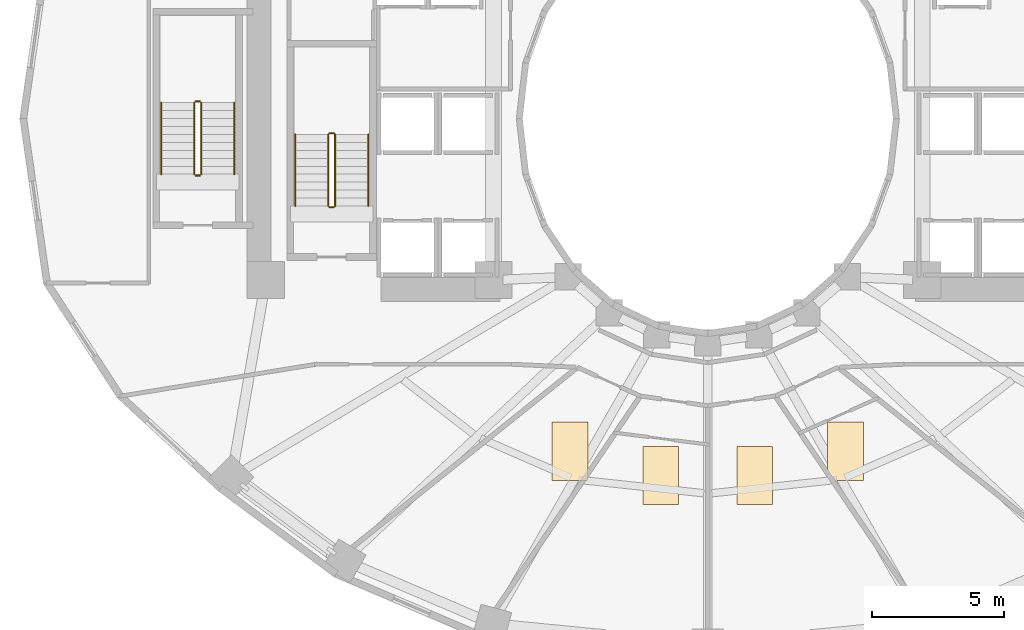
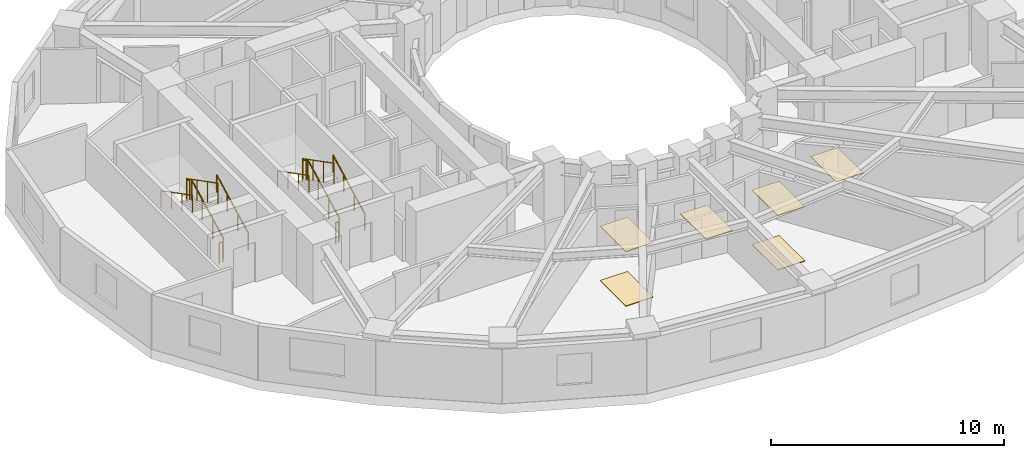
# One storey, part 8 of 9: 12 railings, 6 coverings.
"""IFC4 building model written with IfcOpenShell, lengths in metres."""

from ifc_helpers import new_model, si_unit, direction, frame, origin, origin_2d, place, context, subcontext, project, spatial, polyline, circle, outline, extrude, material, layer, layer_set, type_object, element, save


model = new_model("IFC4")

# Units and contexts
model_context = context("Model", 3, precision=1e-05, world=origin(), true_north=direction((0.0, 1.0)))
body_context = subcontext(model_context, "Body", "Model", "MODEL_VIEW")
ifc_project = project(units=[si_unit("LENGTHUNIT", "METRE"), si_unit("AREAUNIT", "SQUARE_METRE"), si_unit("VOLUMEUNIT", "CUBIC_METRE"), si_unit("PLANEANGLEUNIT", "RADIAN"), si_unit("MASSUNIT", "GRAM", prefix="KILO")], contexts=[model_context])

# Site, building, storey
site_placement = place(None, origin())
site = spatial("IfcSite", under=ifc_project, at=site_placement, CompositionType="ELEMENT")
building_placement = place(site_placement, origin())
building = spatial("IfcBuilding", under=site, at=building_placement, Name="Solvane Sanctuary Tower", CompositionType="ELEMENT")
storey_placement = place(building_placement, frame((0.0, 0.0, 55.5)))
storey = spatial("IfcBuildingStorey", under=building, at=storey_placement, Name="L16", CompositionType="ELEMENT", Elevation=55.5)

# Coverings
ifc_material_1 = material(Name="Acoustic Gypsum Partition Board")
ifc_layer_1 = layer(ifc_material_1, 0.02490234375, Name="Acoustic Gypsum Partition Board")
ifc_layer_set_1 = layer_set([ifc_layer_1], Name="Acoustic Gypsum Partition Board")
covering_type_1 = type_object("IfcCoveringType", Name="Covering CLG-ACOUST", PredefinedType="CEILING", material=ifc_layer_set_1)
covering_1_placement = place(storey_placement, frame((0.0, 0.0, 2.85009765625)))
element("IfcCovering", 1, at=covering_1_placement, inside=storey, type_object=covering_type_1, Name="L16 Unit Acoustic Ceiling Panel 4", PredefinedType="CEILING", context=body_context, shape_type="SweptSolid", body=[
    extrude(outline(polyline([(26.12109375, 9.3349609375), (27.470947265625, 9.3349609375), (27.470947265625, 11.534912109375), (26.12109375, 11.534912109375), (26.12109375, 9.3349609375)])), origin(), (0.0, 0.0, 1.0), 0.02978515625),
])
covering_2_placement = place(storey_placement, frame((0.0, 0.0, 2.85009765625)))
element("IfcCovering", 2, at=covering_2_placement, inside=storey, type_object=covering_type_1, Name="L16 Unit Acoustic Ceiling Panel 5", PredefinedType="CEILING", context=body_context, shape_type="SweptSolid", body=[
    extrude(outline(polyline([(29.550048828125, 8.416015625), (30.89990234375, 8.416015625), (30.89990234375, 10.615966796875), (29.550048828125, 10.615966796875), (29.550048828125, 8.416015625)])), origin(), (0.0, 0.0, 1.0), 0.02978515625),
])
covering_3_placement = place(storey_placement, frame((0.0, 0.0, 2.85009765625)))
element("IfcCovering", 3, at=covering_3_placement, inside=storey, type_object=covering_type_1, Name="L16 Unit Acoustic Ceiling Panel 6", PredefinedType="CEILING", context=body_context, shape_type="SweptSolid", body=[
    extrude(outline(polyline([(33.10009765625, 8.416015625), (34.449951171875, 8.416015625), (34.449951171875, 10.615966796875), (33.10009765625, 10.615966796875), (33.10009765625, 8.416015625)])), origin(), (0.0, 0.0, 1.0), 0.02978515625),
])
covering_4_placement = place(storey_placement, frame((0.0, 0.0, 2.85009765625)))
element("IfcCovering", 4, at=covering_4_placement, inside=storey, type_object=covering_type_1, Name="L16 Unit Acoustic Ceiling Panel 7", PredefinedType="CEILING", context=body_context, shape_type="SweptSolid", body=[
    extrude(outline(polyline([(36.529052734375, 9.3349609375), (37.87890625, 9.3349609375), (37.87890625, 11.534912109375), (36.529052734375, 11.534912109375), (36.529052734375, 9.3349609375)])), origin(), (0.0, 0.0, 1.0), 0.02978515625),
])
ifc_material_2 = material(Name="Ceramic Tile Finish")
ifc_layer_2 = layer(ifc_material_2, 0.030029296875, Name="Ceramic Tile Finish")
ifc_layer_set_2 = layer_set([ifc_layer_2], Name="Ceramic Tile Finish")
covering_type_2 = type_object("IfcCoveringType", Name="Covering FLR-TERRAZZO", PredefinedType="FLOORING", material=ifc_layer_set_2)
covering_5_placement = place(storey_placement, origin())
element("IfcCovering", 5, at=covering_5_placement, inside=storey, type_object=covering_type_2, Name="L16 Unit Terrazzo Inlay 4", PredefinedType="FLOORING", context=body_context, shape_type="SweptSolid", body=[
    extrude(outline(polyline([(26.12109375, 9.3349609375), (27.470947265625, 9.3349609375), (27.470947265625, 11.534912109375), (26.12109375, 11.534912109375), (26.12109375, 9.3349609375)])), origin(), (0.0, 0.0, 1.0), 0.034912109375),
])
covering_6_placement = place(storey_placement, origin())
element("IfcCovering", 6, at=covering_6_placement, inside=storey, type_object=covering_type_2, Name="L16 Unit Terrazzo Inlay 6", PredefinedType="FLOORING", context=body_context, shape_type="SweptSolid", body=[
    extrude(outline(polyline([(33.10009765625, 8.416015625), (34.449951171875, 8.416015625), (34.449951171875, 10.615966796875), (33.10009765625, 10.615966796875), (33.10009765625, 8.416015625)])), origin(), (0.0, 0.0, 1.0), 0.034912109375),
])

# Railings
ifc_material_3 = material(Name="Architectural Stainless Steel 316", Category="steel")
railing_type_1 = type_object("IfcRailingType", Name="Railing GR-BALC-1150", PredefinedType="BALUSTRADE", material=ifc_material_3)
railing_1_placement = place(storey_placement, frame((17.919921875, 19.699951171875, 0.155029296875)))
element("IfcRailing", 7, at=railing_1_placement, inside=storey, type_object=railing_type_1, Name="L16 ST-1 stair guard 1", PredefinedType="BALUSTRADE", context=body_context, shape_type="SweptSolid", body=[
    extrude(circle(Radius=0.02392578125, at=origin_2d()), frame((0.0, 0.0, 1.076171875), z_axis=(0.0, 0.888419900624, 0.459031676658), x_axis=(-1.0, 0.0, 0.0)), (0.0, 0.0, 1.0), 3.0390625),
    extrude(circle(Radius=0.02099609375, at=origin_2d()), origin(), (0.0, 0.0, 1.0), 1.052001953125),
    extrude(circle(Radius=0.02099609375, at=origin_2d()), frame((0.0, 0.89990234375, 0.465087890625)), (0.0, 0.0, 1.0), 1.052001953125),
    extrude(circle(Radius=0.02099609375, at=origin_2d()), frame((0.0, 1.800048828125, 0.929931640625)), (0.0, 0.0, 1.0), 1.052001953125),
    extrude(circle(Radius=0.02099609375, at=origin_2d()), frame((0.0, 2.699951171875, 1.39501953125)), (0.0, 0.0, 1.0), 1.052001953125),
])
railing_2_placement = place(storey_placement, frame((17.8701171875, 22.449951171875, 1.550048828125)))
element("IfcRailing", 8, at=railing_2_placement, inside=storey, type_object=railing_type_1, Name="L16 ST-1 stair guard 2", PredefinedType="BALUSTRADE", context=body_context, shape_type="SweptSolid", body=[
    extrude(circle(Radius=0.02392578125, at=origin_2d()), frame((0.0, 0.0, 1.076171875), z_axis=(-1.0, 0.0, 0.0), x_axis=(0.0, -1.0, 0.0)), (0.0, 0.0, 1.0), 0.16015625),
    extrude(circle(Radius=0.02099609375, at=origin_2d()), origin(), (0.0, 0.0, 1.0), 1.052001953125),
    extrude(circle(Radius=0.02099609375, at=origin_2d()), frame((-0.16015625, 0.0, 0.0)), (0.0, 0.0, 1.0), 1.052001953125),
])
railing_3_placement = place(storey_placement, frame((17.659912109375, 22.39990234375, 1.705078125)))
element("IfcRailing", 9, at=railing_3_placement, inside=storey, type_object=railing_type_1, Name="L16 ST-1 stair guard 3", PredefinedType="BALUSTRADE", context=body_context, shape_type="SweptSolid", body=[
    extrude(circle(Radius=0.02392578125, at=origin_2d()), frame((0.0, 0.0, 1.076171875), z_axis=(0.0, -0.888419900624, 0.459031676658), x_axis=(1.0, 0.0, 0.0)), (0.0, 0.0, 1.0), 3.0390625),
    extrude(circle(Radius=0.02099609375, at=origin_2d()), origin(), (0.0, 0.0, 1.0), 1.052001953125),
    extrude(circle(Radius=0.02099609375, at=origin_2d()), frame((0.0, -0.89990234375, 0.465087890625)), (0.0, 0.0, 1.0), 1.052001953125),
    extrude(circle(Radius=0.02099609375, at=origin_2d()), frame((0.0, -1.800048828125, 0.929931640625)), (0.0, 0.0, 1.0), 1.052001953125),
    extrude(circle(Radius=0.02099609375, at=origin_2d()), frame((0.0, -2.699951171875, 1.39501953125)), (0.0, 0.0, 1.0), 1.052001953125),
])
railing_4_placement = place(storey_placement, frame((17.8701171875, 19.64990234375, 0.0)))
element("IfcRailing", 10, at=railing_4_placement, inside=storey, type_object=railing_type_1, Name="L16 ST-1 stair guard 4", PredefinedType="BALUSTRADE", context=body_context, shape_type="SweptSolid", body=[
    extrude(circle(Radius=0.02392578125, at=origin_2d()), frame((0.0, 0.0, 1.076171875), z_axis=(-1.0, 0.0, 0.0), x_axis=(0.0, -1.0, 0.0)), (0.0, 0.0, 1.0), 0.16015625),
    extrude(circle(Radius=0.02099609375, at=origin_2d()), origin(), (0.0, 0.0, 1.0), 1.052001953125),
    extrude(circle(Radius=0.02099609375, at=origin_2d()), frame((-0.16015625, 0.0, 0.0)), (0.0, 0.0, 1.0), 1.052001953125),
])
railing_5_placement = place(storey_placement, frame((12.860107421875, 20.89990234375, 0.155029296875)))
element("IfcRailing", 11, at=railing_5_placement, inside=storey, type_object=railing_type_1, Name="L16 ST-3 stair guard 1", PredefinedType="BALUSTRADE", context=body_context, shape_type="SweptSolid", body=[
    extrude(circle(Radius=0.02392578125, at=origin_2d()), frame((0.0, 0.0, 1.076171875), z_axis=(0.0, 0.888436826113, 0.458998917216), x_axis=(-1.0, 0.0, 0.0)), (0.0, 0.0, 1.0), 3.039306640625),
    extrude(circle(Radius=0.02099609375, at=origin_2d()), origin(), (0.0, 0.0, 1.0), 1.052001953125),
    extrude(circle(Radius=0.02099609375, at=origin_2d()), frame((0.0, 0.900146484375, 0.465087890625)), (0.0, 0.0, 1.0), 1.052001953125),
    extrude(circle(Radius=0.02099609375, at=origin_2d()), frame((0.0, 1.800048828125, 0.929931640625)), (0.0, 0.0, 1.0), 1.052001953125),
    extrude(circle(Radius=0.02099609375, at=origin_2d()), frame((0.0, 2.7001953125, 1.39501953125)), (0.0, 0.0, 1.0), 1.052001953125),
])
railing_6_placement = place(storey_placement, frame((12.81005859375, 23.64990234375, 1.550048828125)))
element("IfcRailing", 12, at=railing_6_placement, inside=storey, type_object=railing_type_1, Name="L16 ST-3 stair guard 2", PredefinedType="BALUSTRADE", context=body_context, shape_type="SweptSolid", body=[
    extrude(circle(Radius=0.02392578125, at=origin_2d()), frame((0.0, 0.0, 1.076171875), z_axis=(-1.0, 0.0, 0.0), x_axis=(0.0, -1.0, 0.0)), (0.0, 0.0, 1.0), 0.16015625),
    extrude(circle(Radius=0.02099609375, at=origin_2d()), origin(), (0.0, 0.0, 1.0), 1.052001953125),
    extrude(circle(Radius=0.02099609375, at=origin_2d()), frame((-0.16015625, 0.0, 0.0)), (0.0, 0.0, 1.0), 1.052001953125),
])
railing_7_placement = place(storey_placement, frame((12.60009765625, 23.60009765625, 1.705078125)))
element("IfcRailing", 13, at=railing_7_placement, inside=storey, type_object=railing_type_1, Name="L16 ST-3 stair guard 3", PredefinedType="BALUSTRADE", context=body_context, shape_type="SweptSolid", body=[
    extrude(circle(Radius=0.02392578125, at=origin_2d()), frame((0.0, 0.0, 1.076171875), z_axis=(0.0, -0.888436826113, 0.458998917216), x_axis=(1.0, 0.0, 0.0)), (0.0, 0.0, 1.0), 3.039306640625),
    extrude(circle(Radius=0.02099609375, at=origin_2d()), origin(), (0.0, 0.0, 1.0), 1.052001953125),
    extrude(circle(Radius=0.02099609375, at=origin_2d()), frame((0.0, -0.900146484375, 0.465087890625)), (0.0, 0.0, 1.0), 1.052001953125),
    extrude(circle(Radius=0.02099609375, at=origin_2d()), frame((0.0, -1.800048828125, 0.929931640625)), (0.0, 0.0, 1.0), 1.052001953125),
    extrude(circle(Radius=0.02099609375, at=origin_2d()), frame((0.0, -2.7001953125, 1.39501953125)), (0.0, 0.0, 1.0), 1.052001953125),
])
railing_8_placement = place(storey_placement, frame((12.81005859375, 20.85009765625, 0.0)))
element("IfcRailing", 14, at=railing_8_placement, inside=storey, type_object=railing_type_1, Name="L16 ST-3 stair guard 4", PredefinedType="BALUSTRADE", context=body_context, shape_type="SweptSolid", body=[
    extrude(circle(Radius=0.02392578125, at=origin_2d()), frame((0.0, 0.0, 1.076171875), z_axis=(-1.0, 0.0, 0.0), x_axis=(0.0, -1.0, 0.0)), (0.0, 0.0, 1.0), 0.16015625),
    extrude(circle(Radius=0.02099609375, at=origin_2d()), origin(), (0.0, 0.0, 1.0), 1.052001953125),
    extrude(circle(Radius=0.02099609375, at=origin_2d()), frame((-0.16015625, 0.0, 0.0)), (0.0, 0.0, 1.0), 1.052001953125),
])
railing_type_2 = type_object("IfcRailingType", Name="Railing HR-STAIR-920", PredefinedType="HANDRAIL", material=ifc_material_3)
railing_9_placement = place(storey_placement, frame((19.169921875, 19.699951171875, 0.155029296875)))
element("IfcRailing", 15, at=railing_9_placement, inside=storey, type_object=railing_type_2, Name="L16 ST-1 stair handrail 1", PredefinedType="HANDRAIL", context=body_context, shape_type="SweptSolid", body=[
    extrude(circle(Radius=0.02392578125, at=origin_2d()), frame((0.0, 0.0, 0.8759765625), z_axis=(0.0, 0.888419900624, 0.459031676658), x_axis=(-1.0, 0.0, 0.0)), (0.0, 0.0, 1.0), 3.0390625),
    extrude(circle(Radius=0.02099609375, at=origin_2d()), origin(), (0.0, 0.0, 1.0), 0.851806640625),
    extrude(circle(Radius=0.02099609375, at=origin_2d()), frame((0.0, 0.89990234375, 0.465087890625)), (0.0, 0.0, 1.0), 0.851806640625),
    extrude(circle(Radius=0.02099609375, at=origin_2d()), frame((0.0, 1.800048828125, 0.929931640625)), (0.0, 0.0, 1.0), 0.851806640625),
    extrude(circle(Radius=0.02099609375, at=origin_2d()), frame((0.0, 2.699951171875, 1.39501953125)), (0.0, 0.0, 1.0), 0.851806640625),
])
railing_10_placement = place(storey_placement, frame((16.409912109375, 22.39990234375, 1.705078125)))
element("IfcRailing", 16, at=railing_10_placement, inside=storey, type_object=railing_type_2, Name="L16 ST-1 stair handrail 2", PredefinedType="HANDRAIL", context=body_context, shape_type="SweptSolid", body=[
    extrude(circle(Radius=0.02392578125, at=origin_2d()), frame((0.0, 0.0, 0.8759765625), z_axis=(0.0, -0.888419900624, 0.459031676658), x_axis=(1.0, 0.0, 0.0)), (0.0, 0.0, 1.0), 3.0390625),
    extrude(circle(Radius=0.02099609375, at=origin_2d()), origin(), (0.0, 0.0, 1.0), 0.851806640625),
    extrude(circle(Radius=0.02099609375, at=origin_2d()), frame((0.0, -0.89990234375, 0.465087890625)), (0.0, 0.0, 1.0), 0.851806640625),
    extrude(circle(Radius=0.02099609375, at=origin_2d()), frame((0.0, -1.800048828125, 0.929931640625)), (0.0, 0.0, 1.0), 0.851806640625),
    extrude(circle(Radius=0.02099609375, at=origin_2d()), frame((0.0, -2.699951171875, 1.39501953125)), (0.0, 0.0, 1.0), 0.851806640625),
])
railing_11_placement = place(storey_placement, frame((14.110107421875, 20.89990234375, 0.155029296875)))
element("IfcRailing", 17, at=railing_11_placement, inside=storey, type_object=railing_type_2, Name="L16 ST-3 stair handrail 1", PredefinedType="HANDRAIL", context=body_context, shape_type="SweptSolid", body=[
    extrude(circle(Radius=0.02392578125, at=origin_2d()), frame((0.0, 0.0, 0.8759765625), z_axis=(0.0, 0.888436826113, 0.458998917216), x_axis=(-1.0, 0.0, 0.0)), (0.0, 0.0, 1.0), 3.039306640625),
    extrude(circle(Radius=0.02099609375, at=origin_2d()), origin(), (0.0, 0.0, 1.0), 0.851806640625),
    extrude(circle(Radius=0.02099609375, at=origin_2d()), frame((0.0, 0.900146484375, 0.465087890625)), (0.0, 0.0, 1.0), 0.851806640625),
    extrude(circle(Radius=0.02099609375, at=origin_2d()), frame((0.0, 1.800048828125, 0.929931640625)), (0.0, 0.0, 1.0), 0.851806640625),
    extrude(circle(Radius=0.02099609375, at=origin_2d()), frame((0.0, 2.7001953125, 1.39501953125)), (0.0, 0.0, 1.0), 0.851806640625),
])
railing_12_placement = place(storey_placement, frame((11.35009765625, 23.60009765625, 1.705078125)))
element("IfcRailing", 18, at=railing_12_placement, inside=storey, type_object=railing_type_2, Name="L16 ST-3 stair handrail 2", PredefinedType="HANDRAIL", context=body_context, shape_type="SweptSolid", body=[
    extrude(circle(Radius=0.02392578125, at=origin_2d()), frame((0.0, 0.0, 0.8759765625), z_axis=(0.0, -0.888436826113, 0.458998917216), x_axis=(1.0, 0.0, 0.0)), (0.0, 0.0, 1.0), 3.039306640625),
    extrude(circle(Radius=0.02099609375, at=origin_2d()), origin(), (0.0, 0.0, 1.0), 0.851806640625),
    extrude(circle(Radius=0.02099609375, at=origin_2d()), frame((0.0, -0.900146484375, 0.465087890625)), (0.0, 0.0, 1.0), 0.851806640625),
    extrude(circle(Radius=0.02099609375, at=origin_2d()), frame((0.0, -1.800048828125, 0.929931640625)), (0.0, 0.0, 1.0), 0.851806640625),
    extrude(circle(Radius=0.02099609375, at=origin_2d()), frame((0.0, -2.7001953125, 1.39501953125)), (0.0, 0.0, 1.0), 0.851806640625),
])

save(model, "model.ifc")
